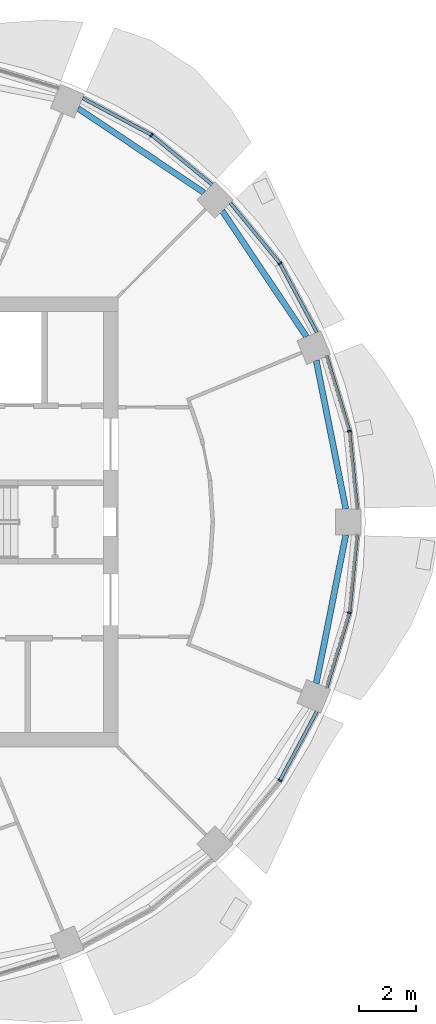
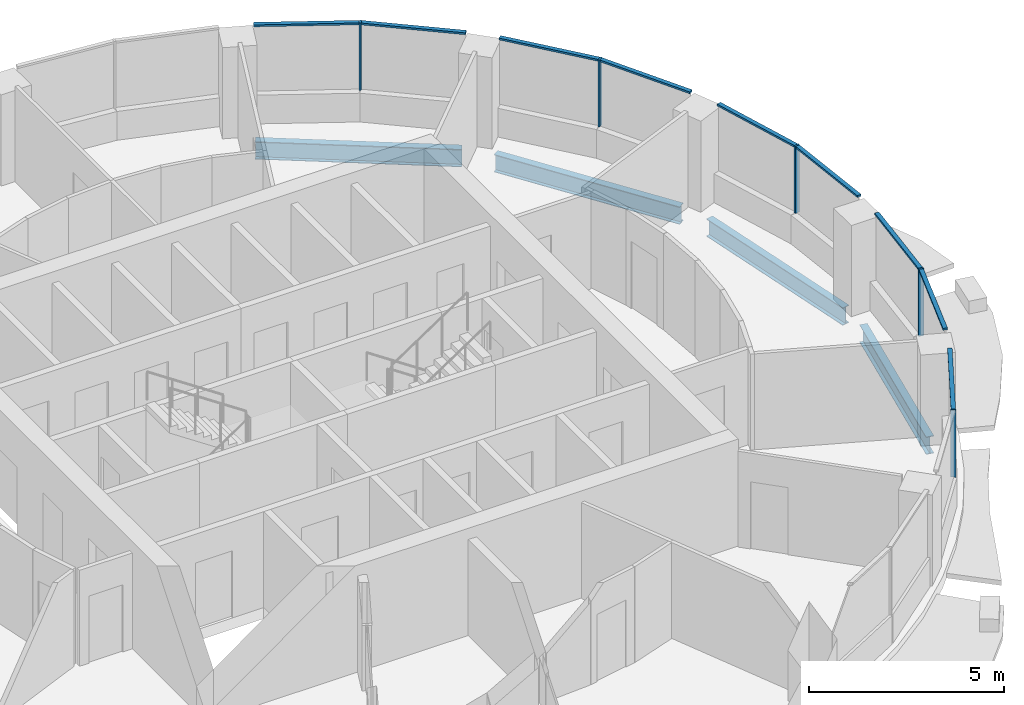
# One storey, part 5 of 15: 14 members, 4 beams, 5 elements without a shape of their own.
"""IFC4 building model written with IfcOpenShell, lengths in metres."""

from ifc_helpers import new_model, si_unit, direction, frame, origin, origin_2d, place, context, subcontext, project, spatial, rectangle, i_section, extrude, material, material_profile, profile_set, type_object, element, aggregate, save


model = new_model("IFC4")

# Units and contexts
model_context = context("Model", 3, precision=1e-05, world=origin(), true_north=direction((0.0, 1.0)))
body_context = subcontext(model_context, "Body", "Model", "MODEL_VIEW")
ifc_project = project(units=[si_unit("LENGTHUNIT", "METRE"), si_unit("AREAUNIT", "SQUARE_METRE"), si_unit("VOLUMEUNIT", "CUBIC_METRE"), si_unit("PLANEANGLEUNIT", "RADIAN"), si_unit("MASSUNIT", "GRAM", prefix="KILO")], contexts=[model_context])

# Site, building, storey
site_placement = place(None, origin())
site = spatial("IfcSite", under=ifc_project, at=site_placement, CompositionType="ELEMENT")
building_placement = place(site_placement, origin())
building = spatial("IfcBuilding", under=site, at=building_placement, Name="Polderwave Tower", CompositionType="ELEMENT")
storey_placement = place(building_placement, frame((0.0, 0.0, 211.10009765625)))
storey = spatial("IfcBuildingStorey", under=building, at=storey_placement, Name="L57", CompositionType="ELEMENT", Elevation=211.10009765625)

# Curtain wall, member
ifc_material_1 = material(Name="Aluminium 6063-T6 and glass", Category="aluminium")
curtain_wall_type = type_object("IfcCurtainWallType", Name="Office ribbon glazing wall", PredefinedType="NOTDEFINED", material=ifc_material_1)
curtain_wall_1_placement = place(storey_placement, origin())
curtain_wall_1 = element("IfcCurtainWall", 1, at=curtain_wall_1_placement, inside=storey, type_object=curtain_wall_type, Name="CW3 L57 00", PredefinedType="NOTDEFINED")
ifc_material_2 = material(Name="Aluminium 6063-T6", Category="aluminium")
ifc_material_profile_1 = material_profile(ifc_material_2, rectangle(XDim=0.139892578125, YDim=0.054931640625, at=origin_2d()), Name="AL 55x140")
ifc_profile_set_1 = profile_set([ifc_material_profile_1], Name="Aluminium 6063-T6")
member_type_1 = type_object("IfcMemberType", Name="Office ribbon glazing mullion 55x140", PredefinedType="MULLION", material=ifc_profile_set_1)
member_1_placement = place(storey_placement, frame((15.987060546875, 3.179931640625, 0.89990234375), z_axis=(0.0, 0.0, 1.0), x_axis=(-0.980756668128, -0.195234110551, 0.0)))
member_1 = element("IfcMember", 2, at=member_1_placement, type_object=member_type_1, Name="CW3 mullion 1", PredefinedType="MULLION", context=body_context, shape_type="SweptSolid", body=[
    extrude(rectangle(XDim=0.139892578125, YDim=0.054931640625, at=origin_2d()), origin(), (0.0, 0.0, 1.0), 2.10009765625),
])

curtain_wall_2_placement = place(storey_placement, origin())
curtain_wall_2 = element("IfcCurtainWall", 3, at=curtain_wall_2_placement, inside=storey, type_object=curtain_wall_type, Name="CW3 L57 01", PredefinedType="NOTDEFINED")
member_2_placement = place(storey_placement, frame((13.552978515625, 9.055908203125, 0.89990234375), z_axis=(0.0, 0.0, 1.0), x_axis=(-0.831455067223, -0.555592000653, 0.0)))
member_2 = element("IfcMember", 4, at=member_2_placement, type_object=member_type_1, Name="CW3 mullion 1", PredefinedType="MULLION", context=body_context, shape_type="SweptSolid", body=[
    extrude(rectangle(XDim=0.139892578125, YDim=0.054931640625, at=origin_2d()), origin(), (0.0, 0.0, 1.0), 2.10009765625),
])

curtain_wall_3_placement = place(storey_placement, origin())
curtain_wall_3 = element("IfcCurtainWall", 5, at=curtain_wall_3_placement, inside=storey, type_object=curtain_wall_type, Name="CW3 L57 02", PredefinedType="NOTDEFINED")
member_3_placement = place(storey_placement, frame((9.055908203125, 13.552978515625, 0.89990234375), z_axis=(0.0, 0.0, 1.0), x_axis=(-0.555592000653, -0.831455067223, 0.0)))
member_3 = element("IfcMember", 6, at=member_3_placement, type_object=member_type_1, Name="CW3 mullion 1", PredefinedType="MULLION", context=body_context, shape_type="SweptSolid", body=[
    extrude(rectangle(XDim=0.139892578125, YDim=0.054931640625, at=origin_2d()), origin(), (0.0, 0.0, 1.0), 2.10009765625),
])

curtain_wall_4_placement = place(storey_placement, origin())
curtain_wall_4 = element("IfcCurtainWall", 7, at=curtain_wall_4_placement, inside=storey, type_object=curtain_wall_type, Name="CW3 L57 14", PredefinedType="NOTDEFINED")
member_4_placement = place(storey_placement, frame((13.552978515625, -9.055908203125, 0.89990234375), z_axis=(0.0, 0.0, 1.0), x_axis=(-0.831455067223, 0.555592000653, 0.0)))
member_4 = element("IfcMember", 8, at=member_4_placement, type_object=member_type_1, Name="CW3 mullion 1", PredefinedType="MULLION", context=body_context, shape_type="SweptSolid", body=[
    extrude(rectangle(XDim=0.139892578125, YDim=0.054931640625, at=origin_2d()), origin(), (0.0, 0.0, 1.0), 2.10009765625),
])

curtain_wall_5_placement = place(storey_placement, origin())
curtain_wall_5 = element("IfcCurtainWall", 9, at=curtain_wall_5_placement, inside=storey, type_object=curtain_wall_type, Name="CW3 L57 15", PredefinedType="NOTDEFINED")
member_5_placement = place(storey_placement, frame((15.987060546875, -3.179931640625, 0.89990234375), z_axis=(0.0, 0.0, 1.0), x_axis=(-0.980756668128, 0.195234110551, 0.0)))
member_5 = element("IfcMember", 10, at=member_5_placement, type_object=member_type_1, Name="CW3 mullion 1", PredefinedType="MULLION", context=body_context, shape_type="SweptSolid", body=[
    extrude(rectangle(XDim=0.139892578125, YDim=0.054931640625, at=origin_2d()), origin(), (0.0, 0.0, 1.0), 2.10009765625),
])

# Member
ifc_material_profile_2 = material_profile(ifc_material_2, rectangle(XDim=0.1201171875, YDim=0.06005859375, at=origin_2d()), Name="AL 60x120")
ifc_profile_set_2 = profile_set([ifc_material_profile_2], Name="Aluminium 6063-T6")
member_type_2 = type_object("IfcMemberType", Name="Office ribbon glazing transom 60x120", PredefinedType="USERDEFINED", material=ifc_profile_set_2)
member_6_placement = place(storey_placement, frame((16.256103515625, 0.449951171875, 2.969970703125), z_axis=(-0.09807947932, 0.995178584846, 0.0), x_axis=(-0.995178584846, -0.09807947932, 0.0)))
member_6 = element("IfcMember", 11, at=member_6_placement, type_object=member_type_2, Name="CW3 transom 1", ObjectType="TRANSOM", PredefinedType="USERDEFINED", context=body_context, shape_type="SweptSolid", body=[
    extrude(rectangle(XDim=0.1201171875, YDim=0.06005859375, at=origin_2d()), origin(), (0.0, 0.0, 1.0), 2.7158203125),
])

member_7_placement = place(storey_placement, frame((15.97900390625, 3.206298828125, 2.969970703125), z_axis=(-0.290546276121, 0.956860941533, 0.0), x_axis=(-0.956860941533, -0.290546276121, 0.0)))
member_7 = element("IfcMember", 12, at=member_7_placement, type_object=member_type_2, Name="CW3 transom 2", ObjectType="TRANSOM", PredefinedType="USERDEFINED", context=body_context, shape_type="SweptSolid", body=[
    extrude(rectangle(XDim=0.1201171875, YDim=0.06005859375, at=origin_2d()), origin(), (0.0, 0.0, 1.0), 2.7158203125),
])

aggregate(curtain_wall_1, [member_1, member_6, member_7])

member_8_placement = place(storey_placement, frame((14.845947265625, 6.636962890625, 2.969970703125), z_axis=(-0.471395356924, 0.88192200192, 0.0), x_axis=(-0.88192200192, -0.471395356924, 0.0)))
member_8 = element("IfcMember", 13, at=member_8_placement, type_object=member_type_2, Name="CW3 transom 1", ObjectType="TRANSOM", PredefinedType="USERDEFINED", context=body_context, shape_type="SweptSolid", body=[
    extrude(rectangle(XDim=0.1201171875, YDim=0.06005859375, at=origin_2d()), origin(), (0.0, 0.0, 1.0), 2.71533203125),
])

member_9_placement = place(storey_placement, frame((13.53564453125, 9.077392578125, 2.969970703125), z_axis=(-0.634470928201, 0.772946726022, 0.0), x_axis=(-0.772946726022, -0.634470928201, 0.0)))
member_9 = element("IfcMember", 14, at=member_9_placement, type_object=member_type_2, Name="CW3 transom 2", ObjectType="TRANSOM", PredefinedType="USERDEFINED", context=body_context, shape_type="SweptSolid", body=[
    extrude(rectangle(XDim=0.1201171875, YDim=0.06005859375, at=origin_2d()), origin(), (0.0, 0.0, 1.0), 2.715087890625),
])

aggregate(curtain_wall_2, [member_2, member_8, member_9])

member_10_placement = place(storey_placement, frame((11.176025390625, 11.81298828125, 2.969970703125), z_axis=(-0.772946726022, 0.634470928201, 0.0), x_axis=(-0.634470928201, -0.772946726022, 0.0)))
member_10 = element("IfcMember", 15, at=member_10_placement, type_object=member_type_2, Name="CW3 transom 1", ObjectType="TRANSOM", PredefinedType="USERDEFINED", context=body_context, shape_type="SweptSolid", body=[
    extrude(rectangle(XDim=0.1201171875, YDim=0.06005859375, at=origin_2d()), origin(), (0.0, 0.0, 1.0), 2.715087890625),
])

member_11_placement = place(storey_placement, frame((9.03173828125, 13.56591796875, 2.969970703125), z_axis=(-0.88192200192, 0.471395356924, 0.0), x_axis=(-0.471395356924, -0.88192200192, 0.0)))
member_11 = element("IfcMember", 16, at=member_11_placement, type_object=member_type_2, Name="CW3 transom 2", ObjectType="TRANSOM", PredefinedType="USERDEFINED", context=body_context, shape_type="SweptSolid", body=[
    extrude(rectangle(XDim=0.1201171875, YDim=0.06005859375, at=origin_2d()), origin(), (0.0, 0.0, 1.0), 2.71533203125),
])

aggregate(curtain_wall_3, [member_3, member_10, member_11])

member_12_placement = place(storey_placement, frame((13.56591796875, -9.03173828125, 2.969970703125), z_axis=(0.471395356924, 0.88192200192, 0.0), x_axis=(-0.88192200192, 0.471395356924, 0.0)))
member_12 = element("IfcMember", 17, at=member_12_placement, type_object=member_type_2, Name="CW3 transom 2", ObjectType="TRANSOM", PredefinedType="USERDEFINED", context=body_context, shape_type="SweptSolid", body=[
    extrude(rectangle(XDim=0.1201171875, YDim=0.06005859375, at=origin_2d()), origin(), (0.0, 0.0, 1.0), 2.71533203125),
])

aggregate(curtain_wall_4, [member_4, member_12])

member_13_placement = place(storey_placement, frame((15.18994140625, -5.804931640625, 2.969970703125), z_axis=(0.290546276121, 0.956860941533, 0.0), x_axis=(-0.956860941533, 0.290546276121, 0.0)))
member_13 = element("IfcMember", 18, at=member_13_placement, type_object=member_type_2, Name="CW3 transom 1", ObjectType="TRANSOM", PredefinedType="USERDEFINED", context=body_context, shape_type="SweptSolid", body=[
    extrude(rectangle(XDim=0.1201171875, YDim=0.06005859375, at=origin_2d()), origin(), (0.0, 0.0, 1.0), 2.7158203125),
])

member_14_placement = place(storey_placement, frame((15.98974609375, -3.152587890625, 2.969970703125), z_axis=(0.09807947932, 0.995178584846, 0.0), x_axis=(-0.995178584846, 0.09807947932, 0.0)))
member_14 = element("IfcMember", 19, at=member_14_placement, type_object=member_type_2, Name="CW3 transom 2", ObjectType="TRANSOM", PredefinedType="USERDEFINED", context=body_context, shape_type="SweptSolid", body=[
    extrude(rectangle(XDim=0.1201171875, YDim=0.06005859375, at=origin_2d()), origin(), (0.0, 0.0, 1.0), 2.7158203125),
])

aggregate(curtain_wall_5, [member_5, member_13, member_14])

# Beams
ifc_material_3 = material(Name="Steel S355", Category="steel")
ifc_material_profile_3 = material_profile(ifc_material_3, i_section(OverallWidth=0.2099609375, OverallDepth=0.550048828125, WebThickness=0.010986328125, FlangeThickness=0.01708984375, at=origin_2d()), Name="IPE 550")
ifc_profile_set_3 = profile_set([ifc_material_profile_3], Name="Steel S355")
beam_type = type_object("IfcBeamType", Name="RING BEAM IPE 550", PredefinedType="BEAM", material=ifc_profile_set_3)
for number, where, z_axis, x_axis, name in (
    (20, (15.860595703125, 0.449951171875, -0.625), (-0.195098417144, 0.980783670147, 0.0), (-0.980783670147, -0.195098417144, 0.0), "ST-RB-L57-00"),
    (21, (14.48095703125, 6.4853515625, -0.625), (-0.555570615162, 0.831469356963, 0.0), (-0.831469356963, -0.555570615162, 0.0), "ST-RB-L57-01"),
    (22, (10.89697265625, 11.533203125, -0.625), (-0.831469356963, 0.555570615162, 0.0), (-0.555570615162, -0.831469356963, 0.0), "ST-RB-L57-02"),
    (23, (14.825439453125, -5.65380859375, -0.625), (0.195098417144, 0.980783670147, 0.0), (-0.980783670147, 0.195098417144, 0.0), "ST-RB-L57-15"),
):
    element("IfcBeam", number, at=place(storey_placement, frame(where, z_axis=z_axis, x_axis=x_axis)), inside=storey, type_object=beam_type, Name=name, PredefinedType="BEAM", context=body_context, shape_type="SweptSolid", body=[
        extrude(i_section(OverallWidth=0.2099609375, OverallDepth=0.550048828125, WebThickness=0.010986328125, FlangeThickness=0.01708984375, at=origin_2d()), origin(), (0.0, 0.0, 1.0), 5.305908203125),
    ])

save(model, "model.ifc")
